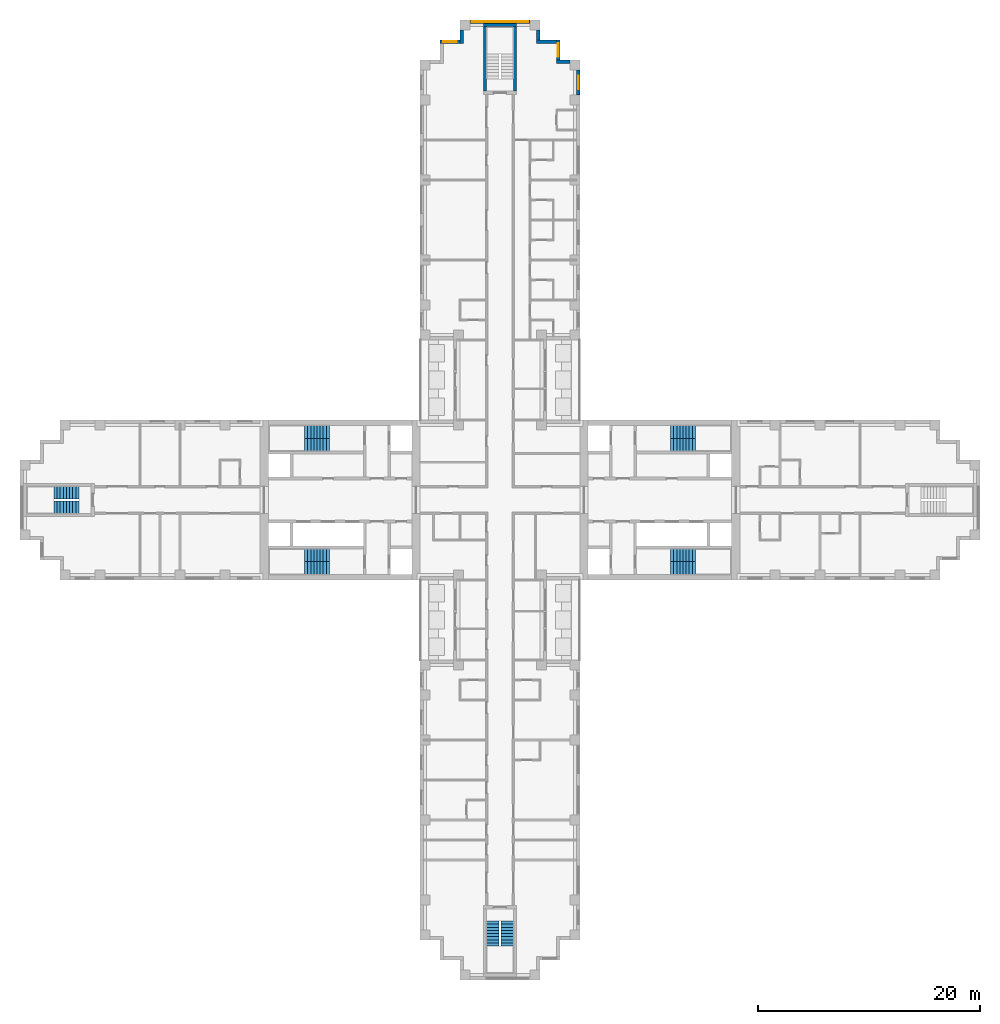
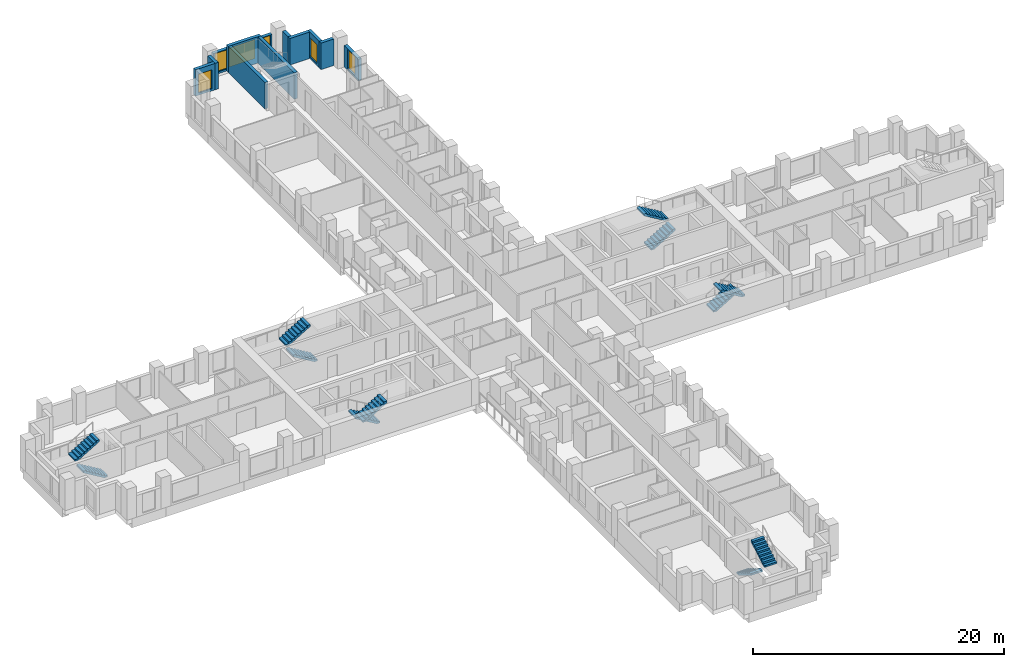
# One storey, part 12 of 15: 12 stair flights, 11 walls, 6 windows, 6 openings, 6 elements without a shape of their own.
"""IFC4 building model written with IfcOpenShell, lengths in metres."""

from ifc_helpers import new_model, si_unit, direction, frame, frame_2d, origin, place, context, subcontext, project, spatial, polyline, rectangle, outline, extrude, material, layer, layer_set, type_object, element, fill, aggregate, save


model = new_model("IFC4")

# Units and contexts
model_context = context("Model", 3, precision=1e-05, world=origin(), true_north=direction((0.0, 1.0)))
body_context = subcontext(model_context, "Body", "Model", "MODEL_VIEW")
ifc_project = project(units=[si_unit("LENGTHUNIT", "METRE"), si_unit("AREAUNIT", "SQUARE_METRE"), si_unit("VOLUMEUNIT", "CUBIC_METRE"), si_unit("PLANEANGLEUNIT", "RADIAN"), si_unit("MASSUNIT", "GRAM", prefix="KILO")], contexts=[model_context])

# Site, building, storey
site_placement = place(None, origin())
site = spatial("IfcSite", under=ifc_project, at=site_placement, CompositionType="ELEMENT")
building_placement = place(site_placement, origin())
building = spatial("IfcBuilding", under=site, at=building_placement, Name="Fustian Cross Tower", CompositionType="ELEMENT")
storey_placement = place(building_placement, frame((0.0, 0.0, 38.699951171875)))
storey = spatial("IfcBuildingStorey", under=building, at=storey_placement, Name="L11", CompositionType="ELEMENT", Elevation=38.699951171875)

# Walls
ifc_material_1 = material(Name="Concrete C50/60", Category="concrete")
ifc_layer_1 = layer(ifc_material_1, 0.300048828125)
ifc_layer_set_1 = layer_set([ifc_layer_1], Name="Concrete C50/60")
wall_type_1 = type_object("IfcWallType", Name="STAIR ENCLOSURE WALL 300 C50/60", PredefinedType="SHEAR", material=ifc_layer_set_1)
wall_1_placement = place(storey_placement, frame((-1.5, 42.75, 0.0), z_axis=(0.0, 0.0, 1.0), x_axis=(1.0, 0.0, 0.0)))
element("IfcWall", 1, at=wall_1_placement, inside=storey, type_object=wall_type_1, Name="Stair enclosure wall", PredefinedType="SHEAR", context=body_context, shape_type="SweptSolid", body=[
    extrude(rectangle(XDim=3.0, YDim=0.300048828125, at=frame_2d((1.5, 0.0))), origin(), (0.0, 0.0, 1.0), 2.574951171875),
])
for number, where, z_axis, x_axis, name in (
    (2, (-1.35009765625, 36.800048828125, 0.0), (0.0, 0.0, 1.0), (0.0, 1.0, 0.0), "Stair enclosure wall"),
    (3, (1.35009765625, 36.800048828125, 0.0), (0.0, 0.0, 1.0), (0.0, 1.0, 0.0), "Stair enclosure wall"),
):
    element("IfcWall", number, at=place(storey_placement, frame(where, z_axis=z_axis, x_axis=x_axis)), inside=storey, type_object=wall_type_1, Name=name, PredefinedType="SHEAR", context=body_context, shape_type="SweptSolid", body=[
        extrude(rectangle(XDim=5.800048828125, YDim=0.300048828125, at=frame_2d((2.89990234375, 0.0))), origin(), (0.0, 0.0, 1.0), 2.574951171875),
    ])

# Wall, opening, window
ifc_material_2 = material(Name="Dark aluminium cladding on insulated backing wall", Category="aluminium")
ifc_layer_2 = layer(ifc_material_2, 0.300048828125)
ifc_layer_set_2 = layer_set([ifc_layer_2], Name="Dark aluminium cladding on insulated backing wall")
wall_type_2 = type_object("IfcWallType", Name="XW1 EXTERNAL WALL 300", PredefinedType="SOLIDWALL", material=ifc_layer_set_2)
wall_2_placement = place(storey_placement, frame((7.050048828125, 36.449951171875, 0.0), z_axis=(0.0, 0.0, 1.0), x_axis=(0.0, 1.0, 0.0)))
wall_2 = element("IfcWall", 4, at=wall_2_placement, inside=storey, type_object=wall_type_2, Name="External wall", PredefinedType="SOLIDWALL", context=body_context, shape_type="SweptSolid", body=[
    extrude(rectangle(XDim=2.25, YDim=0.300048828125, at=frame_2d((1.125, 0.0))), origin(), (0.0, 0.0, 1.0), 2.10009765625),
])
opening_1_placement = place(wall_2_placement, frame((0.52490234375, 0.0, 0.199951171875)))
opening_1 = element("IfcOpeningElement", 5, at=opening_1_placement, cuts=wall_2, Name="Opening WN3", PredefinedType="OPENING", context=body_context, shape_type="SweptSolid", body=[
    extrude(rectangle(XDim=1.199951171875, YDim=1.85009765625, at=frame_2d((0.60009765625, 0.925048828125))), frame((0.0, 0.159912109375, 0.0), z_axis=(0.0, -1.0, 0.0), x_axis=(1.0, 0.0, 0.0)), (0.0, 0.0, 1.0), 0.320068359375),
])
ifc_material_3 = material(Name="Dark anodised aluminium and double glazing", Category="aluminium")
window_type_1 = type_object("IfcWindowType", Name="WN3 WINDOW 1200X1850", PartitioningType="SINGLE_PANEL", PredefinedType="WINDOW", material=ifc_material_3)
window_1_placement = place(opening_1_placement, origin())
window_1 = element("IfcWindow", 6, at=window_1_placement, inside=storey, type_object=window_type_1, Name="Window", OverallHeight=1.85009765625, OverallWidth=1.199951171875, PartitioningType="SINGLE_PANEL", PredefinedType="WINDOW", context=body_context, shape_type="SweptSolid", body=[
    extrude(rectangle(XDim=1.199951171875, YDim=1.85009765625, at=frame_2d((0.60009765625, 0.925048828125))), frame((0.0, 0.030029296875, 0.0), z_axis=(0.0, -1.0, 0.0), x_axis=(1.0, 0.0, 0.0)), (0.0, 0.0, 1.0), 0.06005859375),
])
fill(opening_1, window_1)

# Wall
wall_3_placement = place(storey_placement, frame((6.300048828125, 39.449951171875, 0.0), z_axis=(0.0, 0.0, 1.0), x_axis=(-1.0, 0.0, 0.0)))
element("IfcWall", 7, at=wall_3_placement, inside=storey, type_object=wall_type_2, Name="External wall", PredefinedType="SOLIDWALL", context=body_context, shape_type="SweptSolid", body=[
    extrude(rectangle(XDim=1.199951171875, YDim=0.300048828125, at=frame_2d((0.60009765625, 0.0))), origin(), (0.0, 0.0, 1.0), 2.574951171875),
])

# Wall, opening, window
wall_4_placement = place(storey_placement, frame((5.25, 39.60009765625, 0.0), z_axis=(0.0, 0.0, 1.0), x_axis=(0.0, 1.0, 0.0)))
wall_4 = element("IfcWall", 8, at=wall_4_placement, inside=storey, type_object=wall_type_2, Name="External wall", PredefinedType="SOLIDWALL", context=body_context, shape_type="SweptSolid", body=[
    extrude(rectangle(XDim=1.7998046875, YDim=0.300048828125, at=frame_2d((0.89990234375, 0.0))), origin(), (0.0, 0.0, 1.0), 2.574951171875),
])
opening_2_placement = place(wall_4_placement, frame((0.300048828125, 0.0, 0.199951171875)))
opening_2 = element("IfcOpeningElement", 9, at=opening_2_placement, cuts=wall_4, Name="Opening WN3", PredefinedType="OPENING", context=body_context, shape_type="SweptSolid", body=[
    extrude(rectangle(XDim=1.199951171875, YDim=1.85009765625, at=frame_2d((0.60009765625, 0.925048828125))), frame((0.0, 0.159912109375, 0.0), z_axis=(0.0, -1.0, 0.0), x_axis=(1.0, 0.0, 0.0)), (0.0, 0.0, 1.0), 0.320068359375),
])
window_2_placement = place(opening_2_placement, origin())
window_2 = element("IfcWindow", 10, at=window_2_placement, inside=storey, type_object=window_type_1, Name="Window", OverallHeight=1.85009765625, OverallWidth=1.199951171875, PartitioningType="SINGLE_PANEL", PredefinedType="WINDOW", context=body_context, shape_type="SweptSolid", body=[
    extrude(rectangle(XDim=1.199951171875, YDim=1.85009765625, at=frame_2d((0.60009765625, 0.925048828125))), frame((0.0, 0.030029296875, 0.0), z_axis=(0.0, -1.0, 0.0), x_axis=(1.0, 0.0, 0.0)), (0.0, 0.0, 1.0), 0.06005859375),
])
fill(opening_2, window_2)

# Walls
wall_5_placement = place(storey_placement, frame((5.10009765625, 41.25, 0.0), z_axis=(0.0, 0.0, 1.0), x_axis=(-1.0, 0.0, 0.0)))
element("IfcWall", 11, at=wall_5_placement, inside=storey, type_object=wall_type_2, Name="External wall", PredefinedType="SOLIDWALL", context=body_context, shape_type="SweptSolid", body=[
    extrude(rectangle(XDim=1.800048828125, YDim=0.300048828125, at=frame_2d((0.89990234375, 0.0))), origin(), (0.0, 0.0, 1.0), 2.574951171875),
])
wall_6_placement = place(storey_placement, frame((3.449951171875, 41.39990234375, 0.0), z_axis=(0.0, 0.0, 1.0), x_axis=(0.0, 1.0, 0.0)))
element("IfcWall", 12, at=wall_6_placement, inside=storey, type_object=wall_type_2, Name="External wall", PredefinedType="SOLIDWALL", context=body_context, shape_type="SweptSolid", body=[
    extrude(rectangle(XDim=0.900146484375, YDim=0.300048828125, at=frame_2d((0.4501953125, 0.0))), origin(), (0.0, 0.0, 1.0), 2.574951171875),
])

# Wall, openings, windows
wall_7_placement = place(storey_placement, frame((2.699951171875, 43.050048828125, 0.0), z_axis=(0.0, 0.0, 1.0), x_axis=(-1.0, 0.0, 0.0)))
wall_7 = element("IfcWall", 13, at=wall_7_placement, inside=storey, type_object=wall_type_2, Name="External wall", PredefinedType="SOLIDWALL", context=body_context, shape_type="SweptSolid", body=[
    extrude(rectangle(XDim=5.39990234375, YDim=0.300048828125, at=frame_2d((2.699951171875, 0.0))), origin(), (0.0, 0.0, 1.0), 2.10009765625),
])
opening_3_placement = place(wall_7_placement, frame((1.5, 0.0, 0.199951171875)))
opening_3 = element("IfcOpeningElement", 14, at=opening_3_placement, cuts=wall_7, Name="Opening WN1", PredefinedType="OPENING", context=body_context, shape_type="SweptSolid", body=[
    extrude(rectangle(XDim=2.39990234375, YDim=1.85009765625, at=frame_2d((1.199951171875, 0.925048828125))), frame((0.0, 0.159912109375, 0.0), z_axis=(0.0, -1.0, 0.0), x_axis=(1.0, 0.0, 0.0)), (0.0, 0.0, 1.0), 0.320068359375),
])
opening_4_placement = place(wall_7_placement, frame((0.14990234375, 0.0, 0.199951171875)))
opening_4 = element("IfcOpeningElement", 15, at=opening_4_placement, cuts=wall_7, Name="Opening WN3", PredefinedType="OPENING", context=body_context, shape_type="SweptSolid", body=[
    extrude(rectangle(XDim=1.199951171875, YDim=1.85009765625, at=frame_2d((0.60009765625, 0.925048828125))), frame((0.0, 0.159912109375, 0.0), z_axis=(0.0, -1.0, 0.0), x_axis=(1.0, 0.0, 0.0)), (0.0, 0.0, 1.0), 0.320068359375),
])
opening_5_placement = place(wall_7_placement, frame((4.050048828125, 0.0, 0.199951171875)))
opening_5 = element("IfcOpeningElement", 16, at=opening_5_placement, cuts=wall_7, Name="Opening WN3", PredefinedType="OPENING", context=body_context, shape_type="SweptSolid", body=[
    extrude(rectangle(XDim=1.199951171875, YDim=1.85009765625, at=frame_2d((0.60009765625, 0.925048828125))), frame((0.0, 0.159912109375, 0.0), z_axis=(0.0, -1.0, 0.0), x_axis=(1.0, 0.0, 0.0)), (0.0, 0.0, 1.0), 0.320068359375),
])
ifc_material_4 = material(Name="Dark anodised aluminium and double glazing", Category="aluminium")
window_type_2 = type_object("IfcWindowType", Name="WN1 WINDOW 2400X1850", PartitioningType="SINGLE_PANEL", PredefinedType="WINDOW", material=ifc_material_4)
window_3_placement = place(opening_3_placement, origin())
window_3 = element("IfcWindow", 17, at=window_3_placement, inside=storey, type_object=window_type_2, Name="Window", OverallHeight=1.85009765625, OverallWidth=2.39990234375, PartitioningType="SINGLE_PANEL", PredefinedType="WINDOW", context=body_context, shape_type="SweptSolid", body=[
    extrude(rectangle(XDim=2.39990234375, YDim=1.85009765625, at=frame_2d((1.199951171875, 0.925048828125))), frame((0.0, 0.030029296875, 0.0), z_axis=(0.0, -1.0, 0.0), x_axis=(1.0, 0.0, 0.0)), (0.0, 0.0, 1.0), 0.06005859375),
])
fill(opening_3, window_3)
window_4_placement = place(opening_4_placement, origin())
window_4 = element("IfcWindow", 18, at=window_4_placement, inside=storey, type_object=window_type_1, Name="Window", OverallHeight=1.85009765625, OverallWidth=1.199951171875, PartitioningType="SINGLE_PANEL", PredefinedType="WINDOW", context=body_context, shape_type="SweptSolid", body=[
    extrude(rectangle(XDim=1.199951171875, YDim=1.85009765625, at=frame_2d((0.60009765625, 0.925048828125))), frame((0.0, 0.030029296875, 0.0), z_axis=(0.0, -1.0, 0.0), x_axis=(1.0, 0.0, 0.0)), (0.0, 0.0, 1.0), 0.06005859375),
])
fill(opening_4, window_4)
window_5_placement = place(opening_5_placement, origin())
window_5 = element("IfcWindow", 19, at=window_5_placement, inside=storey, type_object=window_type_1, Name="Window", OverallHeight=1.85009765625, OverallWidth=1.199951171875, PartitioningType="SINGLE_PANEL", PredefinedType="WINDOW", context=body_context, shape_type="SweptSolid", body=[
    extrude(rectangle(XDim=1.199951171875, YDim=1.85009765625, at=frame_2d((0.60009765625, 0.925048828125))), frame((0.0, 0.030029296875, 0.0), z_axis=(0.0, -1.0, 0.0), x_axis=(1.0, 0.0, 0.0)), (0.0, 0.0, 1.0), 0.06005859375),
])
fill(opening_5, window_5)

# Wall
wall_8_placement = place(storey_placement, frame((-3.449951171875, 42.300048828125, 0.0), z_axis=(0.0, 0.0, 1.0), x_axis=(0.0, -1.0, 0.0)))
element("IfcWall", 20, at=wall_8_placement, inside=storey, type_object=wall_type_2, Name="External wall", PredefinedType="SOLIDWALL", context=body_context, shape_type="SweptSolid", body=[
    extrude(rectangle(XDim=1.199951171875, YDim=0.300048828125, at=frame_2d((0.60009765625, 0.0))), origin(), (0.0, 0.0, 1.0), 2.574951171875),
])

# Wall, opening, window
wall_9_placement = place(storey_placement, frame((-3.60009765625, 41.25, 0.0), z_axis=(0.0, 0.0, 1.0), x_axis=(-1.0, 0.0, 0.0)))
wall_9 = element("IfcWall", 21, at=wall_9_placement, inside=storey, type_object=wall_type_2, Name="External wall", PredefinedType="SOLIDWALL", context=body_context, shape_type="SweptSolid", body=[
    extrude(rectangle(XDim=1.7998046875, YDim=0.300048828125, at=frame_2d((0.89990234375, 0.0))), origin(), (0.0, 0.0, 1.0), 2.574951171875),
])
opening_6_placement = place(wall_9_placement, frame((0.300048828125, 0.0, 0.199951171875)))
opening_6 = element("IfcOpeningElement", 22, at=opening_6_placement, cuts=wall_9, Name="Opening WN3", PredefinedType="OPENING", context=body_context, shape_type="SweptSolid", body=[
    extrude(rectangle(XDim=1.199951171875, YDim=1.85009765625, at=frame_2d((0.60009765625, 0.925048828125))), frame((0.0, 0.159912109375, 0.0), z_axis=(0.0, -1.0, 0.0), x_axis=(1.0, 0.0, 0.0)), (0.0, 0.0, 1.0), 0.320068359375),
])
window_6_placement = place(opening_6_placement, origin())
window_6 = element("IfcWindow", 23, at=window_6_placement, inside=storey, type_object=window_type_1, Name="Window", OverallHeight=1.85009765625, OverallWidth=1.199951171875, PartitioningType="SINGLE_PANEL", PredefinedType="WINDOW", context=body_context, shape_type="SweptSolid", body=[
    extrude(rectangle(XDim=1.199951171875, YDim=1.85009765625, at=frame_2d((0.60009765625, 0.925048828125))), frame((0.0, 0.030029296875, 0.0), z_axis=(0.0, -1.0, 0.0), x_axis=(1.0, 0.0, 0.0)), (0.0, 0.0, 1.0), 0.06005859375),
])
fill(opening_6, window_6)

# Stair, stair flights
ifc_material_5 = material(Name="Concrete C50/60", Category="concrete")
stair_type_1 = type_object("IfcStairType", Name="STAIR 1100 HALF TURN", PredefinedType="HALF_TURN_STAIR", material=ifc_material_5)
stair_1_placement = place(storey_placement, origin())
stair_1 = element("IfcStair", 24, at=stair_1_placement, inside=storey, type_object=stair_type_1, Name="Stair ST6", PredefinedType="HALF_TURN_STAIR")
ifc_material_6 = material(Name="Concrete C50/60", Category="concrete")
stair_flight_type_1 = type_object("IfcStairFlightType", Name="STAIR FLIGHT 1100", PredefinedType="STRAIGHT", material=ifc_material_6)
stair_flight_1_placement = place(storey_placement, frame((-0.64990234375, -37.89990234375, 0.0), z_axis=(0.0, 0.0, 1.0), x_axis=(0.0, -1.0, 0.0)))
stair_flight_1 = element("IfcStairFlight", 25, at=stair_flight_1_placement, type_object=stair_flight_type_1, Name="ST6 flight 1", NumberOfRisers=9, NumberOfTreads=8, PredefinedType="STRAIGHT", RiserHeight=0.166666667, TreadLength=0.28, context=body_context, shape_type="SweptSolid", body=[
    extrude(outline(polyline([(0.0, 0.0), (0.0, 0.166748046875), (0.280029296875, 0.166748046875), (0.280029296875, 0.333251953125), (0.56005859375, 0.333251953125), (0.56005859375, 0.5), (0.840087890625, 0.5), (0.840087890625, 0.666748046875), (1.1201171875, 0.666748046875), (1.1201171875, 0.833251953125), (1.39990234375, 0.833251953125), (1.39990234375, 1.0), (1.679931640625, 1.0), (1.679931640625, 1.166748046875), (1.9599609375, 1.166748046875), (1.9599609375, 1.333251953125), (2.239990234375, 1.333251953125), (2.239990234375, 1.5), (2.239990234375, 1.158935546875), (0.29296875, 0.0), (0.0, 0.0)])), frame((0.0, 0.550048828125, 0.0), z_axis=(0.0, -1.0, 0.0), x_axis=(1.0, 0.0, 0.0)), (0.0, 0.0, 1.0), 1.10009765625),
])
stair_flight_2_placement = place(storey_placement, frame((0.64990234375, -40.139892578125, 1.5), z_axis=(0.0, 0.0, 1.0), x_axis=(0.0, 1.0, 0.0)))
stair_flight_2 = element("IfcStairFlight", 26, at=stair_flight_2_placement, type_object=stair_flight_type_1, Name="ST6 flight 2", NumberOfRisers=9, NumberOfTreads=8, PredefinedType="STRAIGHT", RiserHeight=0.166666667, TreadLength=0.28, context=body_context, shape_type="SweptSolid", body=[
    extrude(outline(polyline([(0.0, 0.0), (0.0, 0.166748046875), (0.280029296875, 0.166748046875), (0.280029296875, 0.333251953125), (0.56005859375, 0.333251953125), (0.56005859375, 0.5), (0.840087890625, 0.5), (0.840087890625, 0.666748046875), (1.1201171875, 0.666748046875), (1.1201171875, 0.833251953125), (1.39990234375, 0.833251953125), (1.39990234375, 1.0), (1.679931640625, 1.0), (1.679931640625, 1.166748046875), (1.9599609375, 1.166748046875), (1.9599609375, 1.333251953125), (2.239990234375, 1.333251953125), (2.239990234375, 1.5), (2.239990234375, 1.158935546875), (0.29296875, 0.0), (0.0, 0.0)])), frame((0.0, 0.550048828125, 0.0), z_axis=(0.0, -1.0, 0.0), x_axis=(1.0, 0.0, 0.0)), (0.0, 0.0, 1.0), 1.10009765625),
])
aggregate(stair_1, [stair_flight_1, stair_flight_2])

stair_2_placement = place(storey_placement, origin())
stair_2 = element("IfcStair", 27, at=stair_2_placement, inside=storey, type_object=stair_type_1, Name="Stair ST9", PredefinedType="HALF_TURN_STAIR")
stair_flight_3_placement = place(storey_placement, frame((-37.89990234375, -0.64990234375, 0.0), z_axis=(0.0, 0.0, 1.0), x_axis=(-1.0, 0.0, 0.0)))
stair_flight_3 = element("IfcStairFlight", 28, at=stair_flight_3_placement, type_object=stair_flight_type_1, Name="ST9 flight 1", NumberOfRisers=9, NumberOfTreads=8, PredefinedType="STRAIGHT", RiserHeight=0.166666667, TreadLength=0.28, context=body_context, shape_type="SweptSolid", body=[
    extrude(outline(polyline([(0.0, 0.0), (0.0, 0.166748046875), (0.280029296875, 0.166748046875), (0.280029296875, 0.333251953125), (0.56005859375, 0.333251953125), (0.56005859375, 0.5), (0.840087890625, 0.5), (0.840087890625, 0.666748046875), (1.1201171875, 0.666748046875), (1.1201171875, 0.833251953125), (1.39990234375, 0.833251953125), (1.39990234375, 1.0), (1.679931640625, 1.0), (1.679931640625, 1.166748046875), (1.9599609375, 1.166748046875), (1.9599609375, 1.333251953125), (2.239990234375, 1.333251953125), (2.239990234375, 1.5), (2.239990234375, 1.158935546875), (0.29296875, 0.0), (0.0, 0.0)])), frame((0.0, 0.550048828125, 0.0), z_axis=(0.0, -1.0, 0.0), x_axis=(1.0, 0.0, 0.0)), (0.0, 0.0, 1.0), 1.10009765625),
])
stair_flight_4_placement = place(storey_placement, frame((-40.139892578125, 0.64990234375, 1.5), z_axis=(0.0, 0.0, 1.0), x_axis=(1.0, 0.0, 0.0)))
stair_flight_4 = element("IfcStairFlight", 29, at=stair_flight_4_placement, type_object=stair_flight_type_1, Name="ST9 flight 2", NumberOfRisers=9, NumberOfTreads=8, PredefinedType="STRAIGHT", RiserHeight=0.166666667, TreadLength=0.28, context=body_context, shape_type="SweptSolid", body=[
    extrude(outline(polyline([(0.0, 0.0), (0.0, 0.166748046875), (0.280029296875, 0.166748046875), (0.280029296875, 0.333251953125), (0.56005859375, 0.333251953125), (0.56005859375, 0.5), (0.840087890625, 0.5), (0.840087890625, 0.666748046875), (1.1201171875, 0.666748046875), (1.1201171875, 0.833251953125), (1.39990234375, 0.833251953125), (1.39990234375, 1.0), (1.679931640625, 1.0), (1.679931640625, 1.166748046875), (1.9599609375, 1.166748046875), (1.9599609375, 1.333251953125), (2.239990234375, 1.333251953125), (2.239990234375, 1.5), (2.239990234375, 1.158935546875), (0.29296875, 0.0), (0.0, 0.0)])), frame((0.0, 0.550048828125, 0.0), z_axis=(0.0, -1.0, 0.0), x_axis=(1.0, 0.0, 0.0)), (0.0, 0.0, 1.0), 1.10009765625),
])
aggregate(stair_2, [stair_flight_3, stair_flight_4])

ifc_material_7 = material(Name="Concrete C50/60", Category="concrete")
stair_type_2 = type_object("IfcStairType", Name="STAIR 1150 HALF TURN", PredefinedType="HALF_TURN_STAIR", material=ifc_material_7)
stair_3_placement = place(storey_placement, origin())
stair_3 = element("IfcStair", 30, at=stair_3_placement, inside=storey, type_object=stair_type_2, Name="Stair ST1", PredefinedType="HALF_TURN_STAIR")
ifc_material_8 = material(Name="Concrete C50/60", Category="concrete")
stair_flight_type_2 = type_object("IfcStairFlightType", Name="STAIR FLIGHT 1150", PredefinedType="STRAIGHT", material=ifc_material_8)
stair_flight_5_placement = place(storey_placement, frame((15.35009765625, 4.97509765625, 0.0), z_axis=(0.0, 0.0, 1.0), x_axis=(1.0, 0.0, 0.0)))
stair_flight_5 = element("IfcStairFlight", 31, at=stair_flight_5_placement, type_object=stair_flight_type_2, Name="ST1 flight 1", NumberOfRisers=9, NumberOfTreads=8, PredefinedType="STRAIGHT", RiserHeight=0.166666667, TreadLength=0.28, context=body_context, shape_type="SweptSolid", body=[
    extrude(outline(polyline([(0.0, 0.0), (0.0, 0.166748046875), (0.280029296875, 0.166748046875), (0.280029296875, 0.333251953125), (0.56005859375, 0.333251953125), (0.56005859375, 0.5), (0.840087890625, 0.5), (0.840087890625, 0.666748046875), (1.1201171875, 0.666748046875), (1.1201171875, 0.833251953125), (1.39990234375, 0.833251953125), (1.39990234375, 1.0), (1.679931640625, 1.0), (1.679931640625, 1.166748046875), (1.9599609375, 1.166748046875), (1.9599609375, 1.333251953125), (2.239990234375, 1.333251953125), (2.239990234375, 1.5), (2.239990234375, 1.158935546875), (0.29296875, 0.0), (0.0, 0.0)])), frame((0.0, 0.574951171875, 0.0), z_axis=(0.0, -1.0, 0.0), x_axis=(1.0, 0.0, 0.0)), (0.0, 0.0, 1.0), 1.14990234375),
])
stair_flight_6_placement = place(storey_placement, frame((17.590087890625, 6.125, 1.5), z_axis=(0.0, 0.0, 1.0), x_axis=(-1.0, 0.0, 0.0)))
stair_flight_6 = element("IfcStairFlight", 32, at=stair_flight_6_placement, type_object=stair_flight_type_2, Name="ST1 flight 2", NumberOfRisers=9, NumberOfTreads=8, PredefinedType="STRAIGHT", RiserHeight=0.166666667, TreadLength=0.28, context=body_context, shape_type="SweptSolid", body=[
    extrude(outline(polyline([(0.0, 0.0), (0.0, 0.166748046875), (0.280029296875, 0.166748046875), (0.280029296875, 0.333251953125), (0.56005859375, 0.333251953125), (0.56005859375, 0.5), (0.840087890625, 0.5), (0.840087890625, 0.666748046875), (1.1201171875, 0.666748046875), (1.1201171875, 0.833251953125), (1.39990234375, 0.833251953125), (1.39990234375, 1.0), (1.679931640625, 1.0), (1.679931640625, 1.166748046875), (1.9599609375, 1.166748046875), (1.9599609375, 1.333251953125), (2.239990234375, 1.333251953125), (2.239990234375, 1.5), (2.239990234375, 1.158935546875), (0.29296875, 0.0), (0.0, 0.0)])), frame((0.0, 0.574951171875, 0.0), z_axis=(0.0, -1.0, 0.0), x_axis=(1.0, 0.0, 0.0)), (0.0, 0.0, 1.0), 1.14990234375),
])
aggregate(stair_3, [stair_flight_5, stair_flight_6])

stair_4_placement = place(storey_placement, origin())
stair_4 = element("IfcStair", 33, at=stair_4_placement, inside=storey, type_object=stair_type_2, Name="Stair ST2", PredefinedType="HALF_TURN_STAIR")
stair_flight_7_placement = place(storey_placement, frame((15.35009765625, -4.97509765625, 0.0), z_axis=(0.0, 0.0, 1.0), x_axis=(1.0, 0.0, 0.0)))
stair_flight_7 = element("IfcStairFlight", 34, at=stair_flight_7_placement, type_object=stair_flight_type_2, Name="ST2 flight 1", NumberOfRisers=9, NumberOfTreads=8, PredefinedType="STRAIGHT", RiserHeight=0.166666667, TreadLength=0.28, context=body_context, shape_type="SweptSolid", body=[
    extrude(outline(polyline([(0.0, 0.0), (0.0, 0.166748046875), (0.280029296875, 0.166748046875), (0.280029296875, 0.333251953125), (0.56005859375, 0.333251953125), (0.56005859375, 0.5), (0.840087890625, 0.5), (0.840087890625, 0.666748046875), (1.1201171875, 0.666748046875), (1.1201171875, 0.833251953125), (1.39990234375, 0.833251953125), (1.39990234375, 1.0), (1.679931640625, 1.0), (1.679931640625, 1.166748046875), (1.9599609375, 1.166748046875), (1.9599609375, 1.333251953125), (2.239990234375, 1.333251953125), (2.239990234375, 1.5), (2.239990234375, 1.158935546875), (0.29296875, 0.0), (0.0, 0.0)])), frame((0.0, 0.574951171875, 0.0), z_axis=(0.0, -1.0, 0.0), x_axis=(1.0, 0.0, 0.0)), (0.0, 0.0, 1.0), 1.14990234375),
])
stair_flight_8_placement = place(storey_placement, frame((17.590087890625, -6.125, 1.5), z_axis=(0.0, 0.0, 1.0), x_axis=(-1.0, 0.0, 0.0)))
stair_flight_8 = element("IfcStairFlight", 35, at=stair_flight_8_placement, type_object=stair_flight_type_2, Name="ST2 flight 2", NumberOfRisers=9, NumberOfTreads=8, PredefinedType="STRAIGHT", RiserHeight=0.166666667, TreadLength=0.28, context=body_context, shape_type="SweptSolid", body=[
    extrude(outline(polyline([(0.0, 0.0), (0.0, 0.166748046875), (0.280029296875, 0.166748046875), (0.280029296875, 0.333251953125), (0.56005859375, 0.333251953125), (0.56005859375, 0.5), (0.840087890625, 0.5), (0.840087890625, 0.666748046875), (1.1201171875, 0.666748046875), (1.1201171875, 0.833251953125), (1.39990234375, 0.833251953125), (1.39990234375, 1.0), (1.679931640625, 1.0), (1.679931640625, 1.166748046875), (1.9599609375, 1.166748046875), (1.9599609375, 1.333251953125), (2.239990234375, 1.333251953125), (2.239990234375, 1.5), (2.239990234375, 1.158935546875), (0.29296875, 0.0), (0.0, 0.0)])), frame((0.0, 0.574951171875, 0.0), z_axis=(0.0, -1.0, 0.0), x_axis=(1.0, 0.0, 0.0)), (0.0, 0.0, 1.0), 1.14990234375),
])
aggregate(stair_4, [stair_flight_7, stair_flight_8])

stair_5_placement = place(storey_placement, origin())
stair_5 = element("IfcStair", 36, at=stair_5_placement, inside=storey, type_object=stair_type_2, Name="Stair ST3", PredefinedType="HALF_TURN_STAIR")
stair_flight_9_placement = place(storey_placement, frame((-15.35009765625, 4.97509765625, 0.0), z_axis=(0.0, 0.0, 1.0), x_axis=(-1.0, 0.0, 0.0)))
stair_flight_9 = element("IfcStairFlight", 37, at=stair_flight_9_placement, type_object=stair_flight_type_2, Name="ST3 flight 1", NumberOfRisers=9, NumberOfTreads=8, PredefinedType="STRAIGHT", RiserHeight=0.166666667, TreadLength=0.28, context=body_context, shape_type="SweptSolid", body=[
    extrude(outline(polyline([(0.0, 0.0), (0.0, 0.166748046875), (0.280029296875, 0.166748046875), (0.280029296875, 0.333251953125), (0.56005859375, 0.333251953125), (0.56005859375, 0.5), (0.840087890625, 0.5), (0.840087890625, 0.666748046875), (1.1201171875, 0.666748046875), (1.1201171875, 0.833251953125), (1.39990234375, 0.833251953125), (1.39990234375, 1.0), (1.679931640625, 1.0), (1.679931640625, 1.166748046875), (1.9599609375, 1.166748046875), (1.9599609375, 1.333251953125), (2.239990234375, 1.333251953125), (2.239990234375, 1.5), (2.239990234375, 1.158935546875), (0.29296875, 0.0), (0.0, 0.0)])), frame((0.0, 0.574951171875, 0.0), z_axis=(0.0, -1.0, 0.0), x_axis=(1.0, 0.0, 0.0)), (0.0, 0.0, 1.0), 1.14990234375),
])
stair_flight_10_placement = place(storey_placement, frame((-17.590087890625, 6.125, 1.5), z_axis=(0.0, 0.0, 1.0), x_axis=(1.0, 0.0, 0.0)))
stair_flight_10 = element("IfcStairFlight", 38, at=stair_flight_10_placement, type_object=stair_flight_type_2, Name="ST3 flight 2", NumberOfRisers=9, NumberOfTreads=8, PredefinedType="STRAIGHT", RiserHeight=0.166666667, TreadLength=0.28, context=body_context, shape_type="SweptSolid", body=[
    extrude(outline(polyline([(0.0, 0.0), (0.0, 0.166748046875), (0.280029296875, 0.166748046875), (0.280029296875, 0.333251953125), (0.56005859375, 0.333251953125), (0.56005859375, 0.5), (0.840087890625, 0.5), (0.840087890625, 0.666748046875), (1.1201171875, 0.666748046875), (1.1201171875, 0.833251953125), (1.39990234375, 0.833251953125), (1.39990234375, 1.0), (1.679931640625, 1.0), (1.679931640625, 1.166748046875), (1.9599609375, 1.166748046875), (1.9599609375, 1.333251953125), (2.239990234375, 1.333251953125), (2.239990234375, 1.5), (2.239990234375, 1.158935546875), (0.29296875, 0.0), (0.0, 0.0)])), frame((0.0, 0.574951171875, 0.0), z_axis=(0.0, -1.0, 0.0), x_axis=(1.0, 0.0, 0.0)), (0.0, 0.0, 1.0), 1.14990234375),
])
aggregate(stair_5, [stair_flight_9, stair_flight_10])

stair_6_placement = place(storey_placement, origin())
stair_6 = element("IfcStair", 39, at=stair_6_placement, inside=storey, type_object=stair_type_2, Name="Stair ST4", PredefinedType="HALF_TURN_STAIR")
stair_flight_11_placement = place(storey_placement, frame((-15.35009765625, -4.97509765625, 0.0), z_axis=(0.0, 0.0, 1.0), x_axis=(-1.0, 0.0, 0.0)))
stair_flight_11 = element("IfcStairFlight", 40, at=stair_flight_11_placement, type_object=stair_flight_type_2, Name="ST4 flight 1", NumberOfRisers=9, NumberOfTreads=8, PredefinedType="STRAIGHT", RiserHeight=0.166666667, TreadLength=0.28, context=body_context, shape_type="SweptSolid", body=[
    extrude(outline(polyline([(0.0, 0.0), (0.0, 0.166748046875), (0.280029296875, 0.166748046875), (0.280029296875, 0.333251953125), (0.56005859375, 0.333251953125), (0.56005859375, 0.5), (0.840087890625, 0.5), (0.840087890625, 0.666748046875), (1.1201171875, 0.666748046875), (1.1201171875, 0.833251953125), (1.39990234375, 0.833251953125), (1.39990234375, 1.0), (1.679931640625, 1.0), (1.679931640625, 1.166748046875), (1.9599609375, 1.166748046875), (1.9599609375, 1.333251953125), (2.239990234375, 1.333251953125), (2.239990234375, 1.5), (2.239990234375, 1.158935546875), (0.29296875, 0.0), (0.0, 0.0)])), frame((0.0, 0.574951171875, 0.0), z_axis=(0.0, -1.0, 0.0), x_axis=(1.0, 0.0, 0.0)), (0.0, 0.0, 1.0), 1.14990234375),
])
stair_flight_12_placement = place(storey_placement, frame((-17.590087890625, -6.125, 1.5), z_axis=(0.0, 0.0, 1.0), x_axis=(1.0, 0.0, 0.0)))
stair_flight_12 = element("IfcStairFlight", 41, at=stair_flight_12_placement, type_object=stair_flight_type_2, Name="ST4 flight 2", NumberOfRisers=9, NumberOfTreads=8, PredefinedType="STRAIGHT", RiserHeight=0.166666667, TreadLength=0.28, context=body_context, shape_type="SweptSolid", body=[
    extrude(outline(polyline([(0.0, 0.0), (0.0, 0.166748046875), (0.280029296875, 0.166748046875), (0.280029296875, 0.333251953125), (0.56005859375, 0.333251953125), (0.56005859375, 0.5), (0.840087890625, 0.5), (0.840087890625, 0.666748046875), (1.1201171875, 0.666748046875), (1.1201171875, 0.833251953125), (1.39990234375, 0.833251953125), (1.39990234375, 1.0), (1.679931640625, 1.0), (1.679931640625, 1.166748046875), (1.9599609375, 1.166748046875), (1.9599609375, 1.333251953125), (2.239990234375, 1.333251953125), (2.239990234375, 1.5), (2.239990234375, 1.158935546875), (0.29296875, 0.0), (0.0, 0.0)])), frame((0.0, 0.574951171875, 0.0), z_axis=(0.0, -1.0, 0.0), x_axis=(1.0, 0.0, 0.0)), (0.0, 0.0, 1.0), 1.14990234375),
])
aggregate(stair_6, [stair_flight_11, stair_flight_12])

save(model, "model.ifc")
